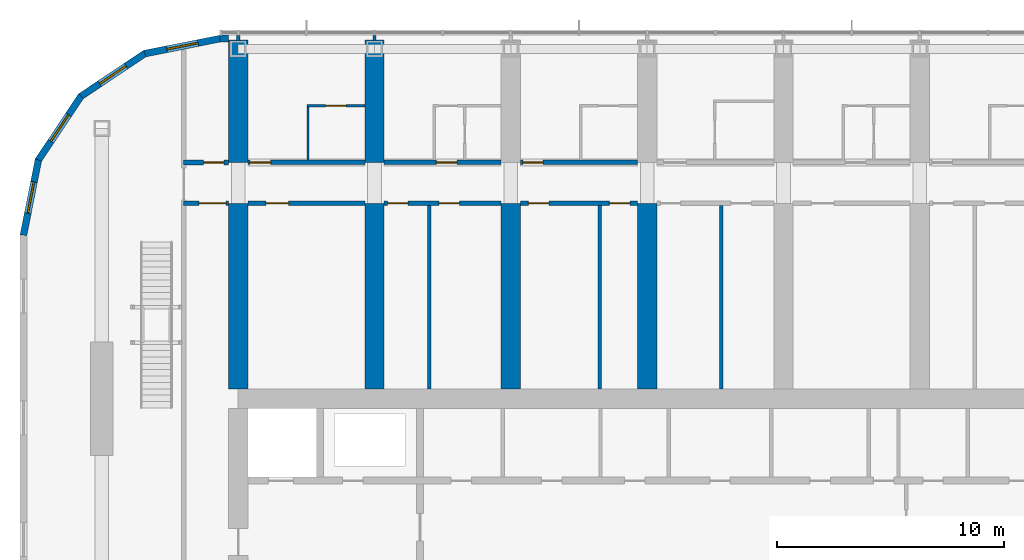
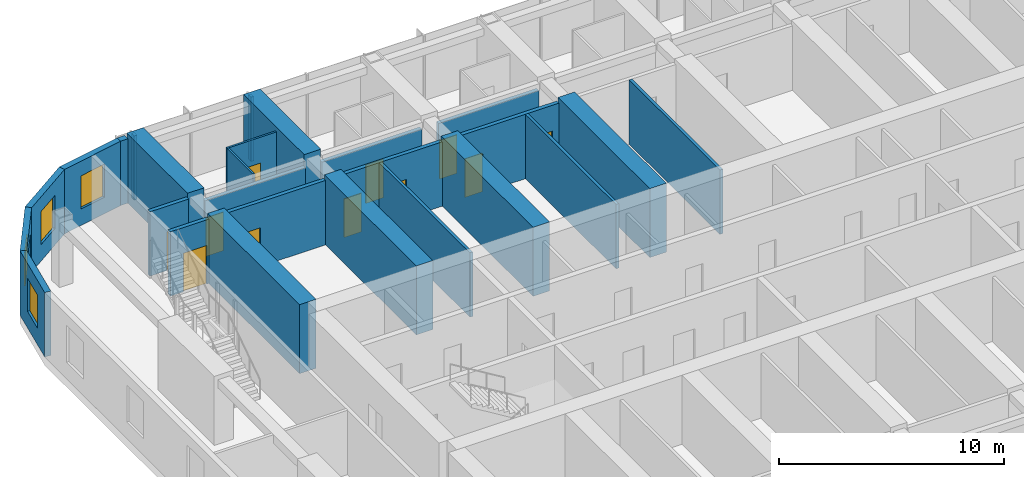
# One storey, part 19 of 29: 26 walls, 11 doors, 4 windows, 15 openings.
"""IFC4 building model written with IfcOpenShell, lengths in metres."""

from ifc_helpers import new_model, si_unit, direction, frame, frame_2d, origin, place, context, subcontext, project, spatial, polyline, rectangle, outline, extrude, material, layer, layer_set, type_object, element, fill, save


model = new_model("IFC4")

# Units and contexts
model_context = context("Model", 3, precision=1e-05, world=origin(), true_north=direction((0.0, 1.0)))
body_context = subcontext(model_context, "Body", "Model", "MODEL_VIEW")
ifc_project = project(units=[si_unit("LENGTHUNIT", "METRE"), si_unit("AREAUNIT", "SQUARE_METRE"), si_unit("VOLUMEUNIT", "CUBIC_METRE"), si_unit("PLANEANGLEUNIT", "RADIAN"), si_unit("MASSUNIT", "GRAM", prefix="KILO")], contexts=[model_context])

# Site, building, storey
site_placement = place(None, origin())
site = spatial("IfcSite", under=ifc_project, at=site_placement, CompositionType="ELEMENT")
building_placement = place(site_placement, origin())
building = spatial("IfcBuilding", under=site, at=building_placement, Name="Orbita Commons", CompositionType="ELEMENT")
storey_placement = place(building_placement, frame((0.0, 0.0, 148.60009765625)))
storey = spatial("IfcBuildingStorey", under=building, at=storey_placement, Name="L36", CompositionType="ELEMENT", Elevation=148.60009765625)

# Wall, opening, door
ifc_material_1 = material(Name="Concrete blockwork", Category="masonry")
ifc_layer_1 = layer(ifc_material_1, 0.199951171875)
ifc_layer_set_1 = layer_set([ifc_layer_1], Name="Concrete blockwork")
wall_type_1 = type_object("IfcWallType", Name="Corridor wall 200 blockwork", PredefinedType="SOLIDWALL", material=ifc_layer_set_1)
wall_1_placement = place(storey_placement, frame((15.60009765625, 48.60009765625, 0.0), z_axis=(0.0, 0.0, 1.0), x_axis=(1.0, 0.0, 0.0)))
wall_1 = element("IfcWall", 1, at=wall_1_placement, inside=storey, type_object=wall_type_1, Name="Corridor wall 200 blockwork L36", PredefinedType="SOLIDWALL", context=body_context, shape_type="SweptSolid", body=[
    extrude(rectangle(XDim=1.974853515625, YDim=0.199951171875, at=frame_2d((0.9873046875, 0.0))), origin(), (0.0, 0.0, 1.0), 3.5),
])
opening_1_placement = place(wall_1_placement, frame((0.875, 0.0, 0.0)))
opening_1 = element("IfcOpeningElement", 2, at=opening_1_placement, cuts=wall_1, Name="Opening D05", PredefinedType="OPENING", context=body_context, shape_type="SweptSolid", body=[
    extrude(rectangle(XDim=0.89990234375, YDim=2.10009765625, at=frame_2d((0.449951171875, 1.050048828125))), frame((0.0, 0.10986328125, 0.0), z_axis=(0.0, -1.0, 0.0), x_axis=(1.0, 0.0, 0.0)), (0.0, 0.0, 1.0), 0.219970703125),
])
ifc_material_2 = material(Name="Steel-faced fire door leaf", Category="steel")
door_type_1 = type_object("IfcDoorType", Name="Service door 20 min 900x2100", OperationType="SINGLE_SWING_LEFT", PredefinedType="DOOR", material=ifc_material_2)
door_1_placement = place(opening_1_placement, origin())
door_1 = element("IfcDoor", 3, at=door_1_placement, inside=storey, type_object=door_type_1, Name="Linen store L36-KWN door", OperationType="SINGLE_SWING_LEFT", OverallHeight=2.10009765625, OverallWidth=0.89990234375, PredefinedType="DOOR", context=body_context, shape_type="SweptSolid", body=[
    extrude(rectangle(XDim=0.89990234375, YDim=2.10009765625, at=frame_2d((0.449951171875, 1.050048828125))), frame((0.0, 0.02490234375, 0.0), z_axis=(0.0, -1.0, 0.0), x_axis=(1.0, 0.0, 0.0)), (0.0, 0.0, 1.0), 0.050048828125),
])
fill(opening_1, door_1)

wall_2_placement = place(storey_placement, frame((18.425048828125, 48.60009765625, 0.0), z_axis=(0.0, 0.0, 1.0), x_axis=(1.0, 0.0, 0.0)))
wall_2 = element("IfcWall", 4, at=wall_2_placement, inside=storey, type_object=wall_type_1, Name="Corridor wall 200 blockwork L36", PredefinedType="SOLIDWALL", context=body_context, shape_type="SweptSolid", body=[
    extrude(outline(polyline([(0.0, 0.0), (5.14990234375, 0.0), (5.14990234375, 3.099853515625), (0.0, 3.099853515625), (0.0, 0.0)])), frame((0.0, 0.10009765625, 0.0), z_axis=(0.0, -1.0, 0.0), x_axis=(1.0, 0.0, 0.0)), (0.0, 0.0, 1.0), 0.199951171875),
])
opening_2_placement = place(wall_2_placement, frame((0.10009765625, 0.0, 0.0)))
opening_2 = element("IfcOpeningElement", 5, at=opening_2_placement, cuts=wall_2, Name="Opening D11", PredefinedType="OPENING", context=body_context, shape_type="SweptSolid", body=[
    extrude(rectangle(XDim=0.89990234375, YDim=2.10009765625, at=frame_2d((0.449951171875, 1.050048828125))), frame((0.0, 0.10986328125, 0.0), z_axis=(0.0, -1.0, 0.0), x_axis=(1.0, 0.0, 0.0)), (0.0, 0.0, 1.0), 0.219970703125),
])
ifc_material_3 = material(Name="Steel-faced fire door leaf", Category="steel")
door_type_2 = type_object("IfcDoorType", Name="Corridor door 20 min 900x2100", OperationType="SINGLE_SWING_LEFT", PredefinedType="DOOR", material=ifc_material_3)
door_2_placement = place(opening_2_placement, origin())
door_2 = element("IfcDoor", 6, at=door_2_placement, inside=storey, type_object=door_type_2, Name="Twin room L36-N00 door", OperationType="SINGLE_SWING_LEFT", OverallHeight=2.10009765625, OverallWidth=0.89990234375, PredefinedType="DOOR", context=body_context, shape_type="SweptSolid", body=[
    extrude(rectangle(XDim=0.89990234375, YDim=2.10009765625, at=frame_2d((0.449951171875, 1.050048828125))), frame((0.0, 0.02490234375, 0.0), z_axis=(0.0, -1.0, 0.0), x_axis=(1.0, 0.0, 0.0)), (0.0, 0.0, 1.0), 0.050048828125),
])
fill(opening_2, door_2)

wall_3_placement = place(storey_placement, frame((24.425048828125, 48.60009765625, 0.0), z_axis=(0.0, 0.0, 1.0), x_axis=(1.0, 0.0, 0.0)))
wall_3 = element("IfcWall", 7, at=wall_3_placement, inside=storey, type_object=wall_type_1, Name="Corridor wall 200 blockwork L36", PredefinedType="SOLIDWALL", context=body_context, shape_type="SweptSolid", body=[
    extrude(outline(polyline([(0.0, 0.0), (5.14990234375, 0.0), (5.14990234375, 3.099853515625), (0.0, 3.099853515625), (0.0, 0.0)])), frame((0.0, 0.10009765625, 0.0), z_axis=(0.0, -1.0, 0.0), x_axis=(1.0, 0.0, 0.0)), (0.0, 0.0, 1.0), 0.199951171875),
])
opening_3_placement = place(wall_3_placement, frame((2.300048828125, 0.0, 0.0)))
opening_3 = element("IfcOpeningElement", 8, at=opening_3_placement, cuts=wall_3, Name="Opening D11", PredefinedType="OPENING", context=body_context, shape_type="SweptSolid", body=[
    extrude(rectangle(XDim=0.89990234375, YDim=2.10009765625, at=frame_2d((0.449951171875, 1.050048828125))), frame((0.0, 0.10986328125, 0.0), z_axis=(0.0, -1.0, 0.0), x_axis=(1.0, 0.0, 0.0)), (0.0, 0.0, 1.0), 0.219970703125),
])
door_3_placement = place(opening_3_placement, origin())
door_3 = element("IfcDoor", 9, at=door_3_placement, inside=storey, type_object=door_type_2, Name="Studio flat L36-N02 entrance door", OperationType="SINGLE_SWING_LEFT", OverallHeight=2.10009765625, OverallWidth=0.89990234375, PredefinedType="DOOR", context=body_context, shape_type="SweptSolid", body=[
    extrude(rectangle(XDim=0.89990234375, YDim=2.10009765625, at=frame_2d((0.449951171875, 1.050048828125))), frame((0.0, 0.02490234375, 0.0), z_axis=(0.0, -1.0, 0.0), x_axis=(1.0, 0.0, 0.0)), (0.0, 0.0, 1.0), 0.050048828125),
])
fill(opening_3, door_3)

wall_4_placement = place(storey_placement, frame((30.425048828125, 48.60009765625, 0.0), z_axis=(0.0, 0.0, 1.0), x_axis=(1.0, 0.0, 0.0)))
wall_4 = element("IfcWall", 10, at=wall_4_placement, inside=storey, type_object=wall_type_1, Name="Corridor wall 200 blockwork L36", PredefinedType="SOLIDWALL", context=body_context, shape_type="SweptSolid", body=[
    extrude(outline(polyline([(0.0, 0.0), (5.14990234375, 0.0), (5.14990234375, 3.099853515625), (0.0, 3.099853515625), (0.0, 0.0)])), frame((0.0, 0.10009765625, 0.0), z_axis=(0.0, -1.0, 0.0), x_axis=(1.0, 0.0, 0.0)), (0.0, 0.0, 1.0), 0.199951171875),
])
opening_4_placement = place(wall_4_placement, frame((0.10009765625, 0.0, 0.0)))
opening_4 = element("IfcOpeningElement", 11, at=opening_4_placement, cuts=wall_4, Name="Opening D11", PredefinedType="OPENING", context=body_context, shape_type="SweptSolid", body=[
    extrude(rectangle(XDim=0.89990234375, YDim=2.10009765625, at=frame_2d((0.449951171875, 1.050048828125))), frame((0.0, 0.10986328125, 0.0), z_axis=(0.0, -1.0, 0.0), x_axis=(1.0, 0.0, 0.0)), (0.0, 0.0, 1.0), 0.219970703125),
])
door_4_placement = place(opening_4_placement, origin())
door_4 = element("IfcDoor", 12, at=door_4_placement, inside=storey, type_object=door_type_2, Name="Twin room L36-N04 door", OperationType="SINGLE_SWING_LEFT", OverallHeight=2.10009765625, OverallWidth=0.89990234375, PredefinedType="DOOR", context=body_context, shape_type="SweptSolid", body=[
    extrude(rectangle(XDim=0.89990234375, YDim=2.10009765625, at=frame_2d((0.449951171875, 1.050048828125))), frame((0.0, 0.02490234375, 0.0), z_axis=(0.0, -1.0, 0.0), x_axis=(1.0, 0.0, 0.0)), (0.0, 0.0, 1.0), 0.050048828125),
])
fill(opening_4, door_4)

ifc_material_4 = material(Name="Hollow concrete block 200", Category="concrete")
ifc_layer_2 = layer(ifc_material_4, 0.199951171875)
ifc_layer_set_2 = layer_set([ifc_layer_2], Name="Hollow concrete block 200")
wall_type_2 = type_object("IfcWallType", Name="Corridor wall 200 hollow concrete block", PredefinedType="SOLIDWALL", material=ifc_layer_set_2)
wall_5_placement = place(storey_placement, frame((15.60009765625, 46.800048828125, 0.0), z_axis=(0.0, 0.0, 1.0), x_axis=(1.0, 0.0, 0.0)))
wall_5 = element("IfcWall", 13, at=wall_5_placement, inside=storey, type_object=wall_type_2, Name="Corridor wall 200 hollow concrete block L36", PredefinedType="SOLIDWALL", context=body_context, shape_type="SweptSolid", body=[
    extrude(rectangle(XDim=1.974853515625, YDim=0.199951171875, at=frame_2d((0.9873046875, 0.0))), origin(), (0.0, 0.0, 1.0), 3.5),
])
opening_5_placement = place(wall_5_placement, frame((0.675048828125, 0.0, 0.0)))
opening_5 = element("IfcOpeningElement", 14, at=opening_5_placement, cuts=wall_5, Name="Opening D12", PredefinedType="OPENING", context=body_context, shape_type="SweptSolid", body=[
    extrude(rectangle(XDim=1.199951171875, YDim=2.10009765625, at=frame_2d((0.60009765625, 1.050048828125))), frame((0.0, 0.10986328125, 0.0), z_axis=(0.0, -1.0, 0.0), x_axis=(1.0, 0.0, 0.0)), (0.0, 0.0, 1.0), 0.219970703125),
])
ifc_material_5 = material(Name="Steel-faced fire door leaf", Category="steel")
door_type_3 = type_object("IfcDoorType", Name="Double corridor door 20 min 1200x2100", OperationType="DOUBLE_DOOR_SINGLE_SWING", PredefinedType="DOOR", material=ifc_material_5)
door_5_placement = place(opening_5_placement, origin())
door_5 = element("IfcDoor", 15, at=door_5_placement, inside=storey, type_object=door_type_3, Name="Cross corridor doors", OperationType="DOUBLE_DOOR_SINGLE_SWING", OverallHeight=2.10009765625, OverallWidth=1.199951171875, PredefinedType="DOOR", context=body_context, shape_type="SweptSolid", body=[
    extrude(rectangle(XDim=1.199951171875, YDim=2.10009765625, at=frame_2d((0.60009765625, 1.050048828125))), frame((0.0, 0.02490234375, 0.0), z_axis=(0.0, -1.0, 0.0), x_axis=(1.0, 0.0, 0.0)), (0.0, 0.0, 1.0), 0.050048828125),
])
fill(opening_5, door_5)

wall_6_placement = place(storey_placement, frame((18.425048828125, 46.800048828125, 0.0), z_axis=(0.0, 0.0, 1.0), x_axis=(1.0, 0.0, 0.0)))
wall_6 = element("IfcWall", 16, at=wall_6_placement, inside=storey, type_object=wall_type_2, Name="Corridor wall 200 hollow concrete block L36", PredefinedType="SOLIDWALL", context=body_context, shape_type="SweptSolid", body=[
    extrude(rectangle(XDim=5.14990234375, YDim=0.199951171875, at=frame_2d((2.574951171875, 0.0))), origin(), (0.0, 0.0, 1.0), 3.5),
])
opening_6_placement = place(wall_6_placement, frame((0.800048828125, 0.0, 0.0)))
opening_6 = element("IfcOpeningElement", 17, at=opening_6_placement, cuts=wall_6, Name="Opening D06", PredefinedType="OPENING", context=body_context, shape_type="SweptSolid", body=[
    extrude(rectangle(XDim=1.0, YDim=2.10009765625, at=frame_2d((0.5, 1.050048828125))), frame((0.0, 0.10986328125, 0.0), z_axis=(0.0, -1.0, 0.0), x_axis=(1.0, 0.0, 0.0)), (0.0, 0.0, 1.0), 0.219970703125),
])
ifc_material_6 = material(Name="Steel-faced fire door leaf", Category="steel")
door_type_4 = type_object("IfcDoorType", Name="Corridor door 20 min 1000x2100", OperationType="SINGLE_SWING_LEFT", PredefinedType="DOOR", material=ifc_material_6)
door_6_placement = place(opening_6_placement, origin())
door_6 = element("IfcDoor", 18, at=door_6_placement, inside=storey, type_object=door_type_4, Name="IT and print room L36-BDN18 door", OperationType="SINGLE_SWING_LEFT", OverallHeight=2.10009765625, OverallWidth=1.0, PredefinedType="DOOR", context=body_context, shape_type="SweptSolid", body=[
    extrude(rectangle(XDim=1.0, YDim=2.10009765625, at=frame_2d((0.5, 1.050048828125))), frame((0.0, 0.02490234375, 0.0), z_axis=(0.0, -1.0, 0.0), x_axis=(1.0, 0.0, 0.0)), (0.0, 0.0, 1.0), 0.050048828125),
])
fill(opening_6, door_6)

# Wall, openings, doors
wall_7_placement = place(storey_placement, frame((24.425048828125, 46.800048828125, 0.0), z_axis=(0.0, 0.0, 1.0), x_axis=(1.0, 0.0, 0.0)))
wall_7 = element("IfcWall", 19, at=wall_7_placement, inside=storey, type_object=wall_type_2, Name="Corridor wall 200 hollow concrete block L36", PredefinedType="SOLIDWALL", context=body_context, shape_type="SweptSolid", body=[
    extrude(rectangle(XDim=5.14990234375, YDim=0.199951171875, at=frame_2d((2.574951171875, 0.0))), origin(), (0.0, 0.0, 1.0), 3.5),
])
opening_7_placement = place(wall_7_placement, frame((0.14990234375, 0.0, 0.0)))
opening_7 = element("IfcOpeningElement", 20, at=opening_7_placement, cuts=wall_7, Name="Opening D11", PredefinedType="OPENING", context=body_context, shape_type="SweptSolid", body=[
    extrude(rectangle(XDim=0.89990234375, YDim=2.10009765625, at=frame_2d((0.449951171875, 1.050048828125))), frame((0.0, 0.10986328125, 0.0), z_axis=(0.0, -1.0, 0.0), x_axis=(1.0, 0.0, 0.0)), (0.0, 0.0, 1.0), 0.219970703125),
])
opening_8_placement = place(wall_7_placement, frame((2.405029296875, 0.0, 0.0)))
opening_8 = element("IfcOpeningElement", 21, at=opening_8_placement, cuts=wall_7, Name="Opening D11", PredefinedType="OPENING", context=body_context, shape_type="SweptSolid", body=[
    extrude(rectangle(XDim=0.89990234375, YDim=2.10009765625, at=frame_2d((0.449951171875, 1.050048828125))), frame((0.0, 0.10986328125, 0.0), z_axis=(0.0, -1.0, 0.0), x_axis=(1.0, 0.0, 0.0)), (0.0, 0.0, 1.0), 0.219970703125),
])
door_7_placement = place(opening_7_placement, origin())
door_7 = element("IfcDoor", 22, at=door_7_placement, inside=storey, type_object=door_type_2, Name="Water heater cupboard L36-BDN24n door", OperationType="SINGLE_SWING_LEFT", OverallHeight=2.10009765625, OverallWidth=0.89990234375, PredefinedType="DOOR", context=body_context, shape_type="SweptSolid", body=[
    extrude(rectangle(XDim=0.89990234375, YDim=2.10009765625, at=frame_2d((0.449951171875, 1.050048828125))), frame((0.0, 0.02490234375, 0.0), z_axis=(0.0, -1.0, 0.0), x_axis=(1.0, 0.0, 0.0)), (0.0, 0.0, 1.0), 0.050048828125),
])
fill(opening_7, door_7)
door_8_placement = place(opening_8_placement, origin())
door_8 = element("IfcDoor", 23, at=door_8_placement, inside=storey, type_object=door_type_2, Name="Electrical and data room L36-BDN24 door", OperationType="SINGLE_SWING_LEFT", OverallHeight=2.10009765625, OverallWidth=0.89990234375, PredefinedType="DOOR", context=body_context, shape_type="SweptSolid", body=[
    extrude(rectangle(XDim=0.89990234375, YDim=2.10009765625, at=frame_2d((0.449951171875, 1.050048828125))), frame((0.0, 0.02490234375, 0.0), z_axis=(0.0, -1.0, 0.0), x_axis=(1.0, 0.0, 0.0)), (0.0, 0.0, 1.0), 0.050048828125),
])
fill(opening_8, door_8)

wall_8_placement = place(storey_placement, frame((30.425048828125, 46.800048828125, 0.0), z_axis=(0.0, 0.0, 1.0), x_axis=(1.0, 0.0, 0.0)))
wall_8 = element("IfcWall", 24, at=wall_8_placement, inside=storey, type_object=wall_type_2, Name="Corridor wall 200 hollow concrete block L36", PredefinedType="SOLIDWALL", context=body_context, shape_type="SweptSolid", body=[
    extrude(rectangle(XDim=5.14990234375, YDim=0.199951171875, at=frame_2d((2.574951171875, 0.0))), origin(), (0.0, 0.0, 1.0), 3.5),
])
opening_9_placement = place(wall_8_placement, frame((0.35009765625, 0.0, 0.0)))
opening_9 = element("IfcOpeningElement", 25, at=opening_9_placement, cuts=wall_8, Name="Opening D11", PredefinedType="OPENING", context=body_context, shape_type="SweptSolid", body=[
    extrude(rectangle(XDim=0.89990234375, YDim=2.10009765625, at=frame_2d((0.449951171875, 1.050048828125))), frame((0.0, 0.10986328125, 0.0), z_axis=(0.0, -1.0, 0.0), x_axis=(1.0, 0.0, 0.0)), (0.0, 0.0, 1.0), 0.219970703125),
])
opening_10_placement = place(wall_8_placement, frame((3.9150390625, 0.0, 0.0)))
opening_10 = element("IfcOpeningElement", 26, at=opening_10_placement, cuts=wall_8, Name="Opening D11", PredefinedType="OPENING", context=body_context, shape_type="SweptSolid", body=[
    extrude(rectangle(XDim=0.89990234375, YDim=2.10009765625, at=frame_2d((0.449951171875, 1.050048828125))), frame((0.0, 0.10986328125, 0.0), z_axis=(0.0, -1.0, 0.0), x_axis=(1.0, 0.0, 0.0)), (0.0, 0.0, 1.0), 0.219970703125),
])
door_9_placement = place(opening_9_placement, origin())
door_9 = element("IfcDoor", 27, at=door_9_placement, inside=storey, type_object=door_type_2, Name="Ventilation plant room north L36-BDN30 door", OperationType="SINGLE_SWING_LEFT", OverallHeight=2.10009765625, OverallWidth=0.89990234375, PredefinedType="DOOR", context=body_context, shape_type="SweptSolid", body=[
    extrude(rectangle(XDim=0.89990234375, YDim=2.10009765625, at=frame_2d((0.449951171875, 1.050048828125))), frame((0.0, 0.02490234375, 0.0), z_axis=(0.0, -1.0, 0.0), x_axis=(1.0, 0.0, 0.0)), (0.0, 0.0, 1.0), 0.050048828125),
])
fill(opening_9, door_9)
door_10_placement = place(opening_10_placement, origin())
door_10 = element("IfcDoor", 28, at=door_10_placement, inside=storey, type_object=door_type_2, Name="Equipment store L36-BDN30n door", OperationType="SINGLE_SWING_LEFT", OverallHeight=2.10009765625, OverallWidth=0.89990234375, PredefinedType="DOOR", context=body_context, shape_type="SweptSolid", body=[
    extrude(rectangle(XDim=0.89990234375, YDim=2.10009765625, at=frame_2d((0.449951171875, 1.050048828125))), frame((0.0, 0.02490234375, 0.0), z_axis=(0.0, -1.0, 0.0), x_axis=(1.0, 0.0, 0.0)), (0.0, 0.0, 1.0), 0.050048828125),
])
fill(opening_10, door_10)

# Walls
ifc_material_7 = material(Name="Concrete C50/60", Category="concrete")
ifc_layer_3 = layer(ifc_material_7, 0.85009765625)
ifc_layer_set_3 = layer_set([ifc_layer_3], Name="Concrete C50/60")
wall_type_3 = type_object("IfcWallType", Name="Cross wall 850 C50/60", PredefinedType="SHEAR", material=ifc_layer_set_3)
wall_9_placement = place(storey_placement, frame((18.0, 48.60009765625, 0.0), z_axis=(0.0, 0.0, 1.0), x_axis=(0.0, 1.0, 0.0)))
element("IfcWall", 29, at=wall_9_placement, inside=storey, type_object=wall_type_3, Name="Cross wall 4 north outer L36", PredefinedType="SHEAR", context=body_context, shape_type="SweptSolid", body=[
    extrude(rectangle(XDim=5.39990234375, YDim=0.85009765625, at=frame_2d((2.699951171875, 0.0))), origin(), (0.0, 0.0, 1.0), 3.75),
])
wall_10_placement = place(storey_placement, frame((18.0, 38.625, 0.0), z_axis=(0.0, 0.0, 1.0), x_axis=(0.0, 1.0, 0.0)))
element("IfcWall", 30, at=wall_10_placement, inside=storey, type_object=wall_type_3, Name="Cross wall 4 north inner L36", PredefinedType="SHEAR", context=body_context, shape_type="SweptSolid", body=[
    extrude(rectangle(XDim=8.175048828125, YDim=0.85009765625, at=frame_2d((4.08740234375, 0.0))), origin(), (0.0, 0.0, 1.0), 3.75),
])
wall_11_placement = place(storey_placement, frame((24.0, 48.60009765625, 0.0), z_axis=(0.0, 0.0, 1.0), x_axis=(0.0, 1.0, 0.0)))
element("IfcWall", 31, at=wall_11_placement, inside=storey, type_object=wall_type_3, Name="Cross wall 5 north outer L36", PredefinedType="SHEAR", context=body_context, shape_type="SweptSolid", body=[
    extrude(rectangle(XDim=5.39990234375, YDim=0.85009765625, at=frame_2d((2.699951171875, 0.0))), origin(), (0.0, 0.0, 1.0), 3.75),
])
for number, where, z_axis, x_axis, name in (
    (32, (24.0, 38.625, 0.0), (0.0, 0.0, 1.0), (0.0, 1.0, 0.0), "Cross wall 5 north inner L36"),
    (33, (30.0, 38.625, 0.0), (0.0, 0.0, 1.0), (0.0, 1.0, 0.0), "Cross wall 6 north inner L36"),
    (34, (36.0, 38.625, 0.0), (0.0, 0.0, 1.0), (0.0, 1.0, 0.0), "Cross wall 7 north inner L36"),
):
    element("IfcWall", number, at=place(storey_placement, frame(where, z_axis=z_axis, x_axis=x_axis)), inside=storey, type_object=wall_type_3, Name=name, PredefinedType="SHEAR", context=body_context, shape_type="SweptSolid", body=[
        extrude(rectangle(XDim=8.175048828125, YDim=0.85009765625, at=frame_2d((4.08740234375, 0.0))), origin(), (0.0, 0.0, 1.0), 3.75),
    ])

# Wall, opening, door
ifc_material_8 = material(Name="Moisture-resistant plasterboard on steel studs", Category="steel")
ifc_layer_4 = layer(ifc_material_8, 0.10009765625)
ifc_layer_set_4 = layer_set([ifc_layer_4], Name="Moisture-resistant plasterboard on steel studs")
wall_type_4 = type_object("IfcWallType", Name="En-suite partition 100", PredefinedType="PARTITIONING", material=ifc_layer_set_4)
wall_12_placement = place(storey_placement, frame((21.02490234375, 51.10009765625, 0.0), z_axis=(0.0, 0.0, 1.0), x_axis=(1.0, 0.0, 0.0)))
wall_12 = element("IfcWall", 35, at=wall_12_placement, inside=storey, type_object=wall_type_4, Name="En-suite partition 100 L36", PredefinedType="PARTITIONING", context=body_context, shape_type="SweptSolid", body=[
    extrude(rectangle(XDim=2.550048828125, YDim=0.10009765625, at=frame_2d((1.27490234375, 0.0))), origin(), (0.0, 0.0, 1.0), 3.5),
])
opening_11_placement = place(wall_12_placement, frame((0.824951171875, 0.0, 0.0)))
opening_11 = element("IfcOpeningElement", 36, at=opening_11_placement, cuts=wall_12, Name="Opening D09", PredefinedType="OPENING", context=body_context, shape_type="SweptSolid", body=[
    extrude(rectangle(XDim=0.89990234375, YDim=2.10009765625, at=frame_2d((0.449951171875, 1.050048828125))), frame((0.0, 0.06005859375, 0.0), z_axis=(0.0, -1.0, 0.0), x_axis=(1.0, 0.0, 0.0)), (0.0, 0.0, 1.0), 0.1201171875),
])
ifc_material_9 = material(Name="Laminated timber door leaf", Category="wood")
door_type_5 = type_object("IfcDoorType", Name="En-suite door 900x2100", OperationType="SINGLE_SWING_RIGHT", PredefinedType="DOOR", material=ifc_material_9)
door_11_placement = place(opening_11_placement, origin())
door_11 = element("IfcDoor", 37, at=door_11_placement, inside=storey, type_object=door_type_5, Name="En-suite L36-N00 door", OperationType="SINGLE_SWING_RIGHT", OverallHeight=2.10009765625, OverallWidth=0.89990234375, PredefinedType="DOOR", context=body_context, shape_type="SweptSolid", body=[
    extrude(rectangle(XDim=0.89990234375, YDim=2.10009765625, at=frame_2d((0.449951171875, 1.050048828125))), frame((0.0, 0.02490234375, 0.0), z_axis=(0.0, -1.0, 0.0), x_axis=(1.0, 0.0, 0.0)), (0.0, 0.0, 1.0), 0.050048828125),
])
fill(opening_11, door_11)

# Walls
wall_13_placement = place(storey_placement, frame((21.074951171875, 51.050048828125, 0.0), z_axis=(0.0, 0.0, 1.0), x_axis=(0.0, -1.0, 0.0)))
element("IfcWall", 38, at=wall_13_placement, inside=storey, type_object=wall_type_4, Name="En-suite partition 100 L36", PredefinedType="PARTITIONING", context=body_context, shape_type="SweptSolid", body=[
    extrude(outline(polyline([(0.0, 0.0), (2.35009765625, 0.0), (2.35009765625, 3.099853515625), (2.302001953125, 3.099853515625), (2.300048828125, 3.5), (0.0, 3.5), (0.0, 0.0)])), frame((0.0, 0.050048828125, 0.0), z_axis=(0.0, -1.0, 0.0), x_axis=(1.0, 0.0, 0.0)), (0.0, 0.0, 1.0), 0.10009765625),
])
ifc_material_10 = material(Name="Gypsum plasterboard on steel studs", Category="steel")
ifc_layer_5 = layer(ifc_material_10, 0.14990234375)
ifc_layer_set_5 = layer_set([ifc_layer_5], Name="Gypsum plasterboard on steel studs")
wall_type_5 = type_object("IfcWallType", Name="Partition 150 plasterboard", PredefinedType="PARTITIONING", material=ifc_layer_set_5)
for number, where, z_axis, x_axis, name in (
    (39, (26.405029296875, 38.625, 0.0), (0.0, 0.0, 1.0), (0.0, 1.0, 0.0), "Partition 150 plasterboard L36"),
    (40, (33.9150390625, 38.625, 0.0), (0.0, 0.0, 1.0), (0.0, 1.0, 0.0), "Partition 150 plasterboard L36"),
    (41, (39.2548828125, 38.625, 0.0), (0.0, 0.0, 1.0), (0.0, 1.0, 0.0), "Partition 150 plasterboard L36"),
):
    element("IfcWall", number, at=place(storey_placement, frame(where, z_axis=z_axis, x_axis=x_axis)), inside=storey, type_object=wall_type_5, Name=name, PredefinedType="PARTITIONING", context=body_context, shape_type="SweptSolid", body=[
        extrude(rectangle(XDim=8.074951171875, YDim=0.14990234375, at=frame_2d((4.03759765625, 0.0))), origin(), (0.0, 0.0, 1.0), 3.5),
    ])
for number, where, z_axis, x_axis, name in (
    (42, (18.0, 53.949951171875, 0.0), (0.0, 0.0, 1.0), (0.0, 1.0, 0.0), "Partition 150 plasterboard L36"),
    (43, (24.0, 53.949951171875, 0.0), (0.0, 0.0, 1.0), (0.0, 1.0, 0.0), "Partition 150 plasterboard L36"),
):
    element("IfcWall", number, at=place(storey_placement, frame(where, z_axis=z_axis, x_axis=x_axis)), inside=storey, type_object=wall_type_5, Name=name, PredefinedType="PARTITIONING", context=body_context, shape_type="SweptSolid", body=[
        extrude(rectangle(XDim=0.239990234375, YDim=0.14990234375, at=frame_2d((0.1201171875, 0.0))), origin(), (0.0, 0.0, 1.0), 3.5),
    ])

# Wall, opening, window
ifc_material_11 = material(Name="Precast concrete C40/50, white board-marked finish", Category="concrete")
ifc_layer_6 = layer(ifc_material_11, 0.300048828125)
ifc_layer_set_6 = layer_set([ifc_layer_6], Name="Precast concrete C40/50, white board-marked finish")
wall_type_6 = type_object("IfcWallType", Name="Precast concrete end shield 300", PredefinedType="SOLIDWALL", material=ifc_layer_set_6)
wall_14_placement = place(storey_placement, frame((17.199951171875, 54.050048828125, 0.0), z_axis=(0.0, 0.0, 1.0), x_axis=(-0.98078325777, -0.195100490205, 0.0)))
wall_14 = element("IfcWall", 44, at=wall_14_placement, inside=storey, type_object=wall_type_6, Name="End shield NW chord 1 L36", PredefinedType="SOLIDWALL", context=body_context, shape_type="SweptSolid", body=[
    extrude(outline(polyline([(-0.02978515625, -0.14990234375), (3.40478515625, -0.14990234375), (3.34521484375, 0.14990234375), (0.02978515625, 0.14990234375), (-0.02978515625, -0.14990234375)])), origin(), (0.0, 0.0, 1.0), 3.5),
])
opening_12_placement = place(wall_14_placement, frame((0.987548828125, 0.0, 0.89990234375)))
opening_12 = element("IfcOpeningElement", 45, at=opening_12_placement, cuts=wall_14, Name="Opening W02", PredefinedType="OPENING", context=body_context, shape_type="SweptSolid", body=[
    extrude(rectangle(XDim=1.39990234375, YDim=1.800048828125, at=frame_2d((0.699951171875, 0.89990234375))), frame((0.0, 0.159912109375, 0.0), z_axis=(0.0, -1.0, 0.0), x_axis=(1.0, 0.0, 0.0)), (0.0, 0.0, 1.0), 0.320068359375),
])
ifc_material_12 = material(Name="Aluminium frame, clear double glazing", Category="aluminium")
window_type = type_object("IfcWindowType", Name="Deep-set window 1400x1800", PartitioningType="SINGLE_PANEL", PredefinedType="WINDOW", material=ifc_material_12)
window_1_placement = place(opening_12_placement, origin())
window_1 = element("IfcWindow", 46, at=window_1_placement, inside=storey, type_object=window_type, Name="Window L36-NW0", OverallHeight=1.800048828125, OverallWidth=1.39990234375, PartitioningType="SINGLE_PANEL", PredefinedType="WINDOW", context=body_context, shape_type="SweptSolid", body=[
    extrude(rectangle(XDim=1.39990234375, YDim=1.800048828125, at=frame_2d((0.699951171875, 0.89990234375))), frame((0.0, 0.030029296875, 0.0), z_axis=(0.0, -1.0, 0.0), x_axis=(1.0, 0.0, 0.0)), (0.0, 0.0, 1.0), 0.06005859375),
])
fill(opening_12, window_1)

wall_15_placement = place(storey_placement, frame((13.889892578125, 53.3916015625, 0.0), z_axis=(0.0, 0.0, 1.0), x_axis=(-0.831493450887, -0.555534554399, 0.0)))
wall_15 = element("IfcWall", 47, at=wall_15_placement, inside=storey, type_object=wall_type_6, Name="End shield NW chord 2 L36", PredefinedType="SOLIDWALL", context=body_context, shape_type="SweptSolid", body=[
    extrude(outline(polyline([(-0.02978515625, -0.14990234375), (3.405029296875, -0.14990234375), (3.345458984375, 0.14990234375), (0.02978515625, 0.14990234375), (-0.02978515625, -0.14990234375)])), origin(), (0.0, 0.0, 1.0), 3.5),
])
opening_13_placement = place(wall_15_placement, frame((0.987548828125, 0.0, 0.89990234375)))
opening_13 = element("IfcOpeningElement", 48, at=opening_13_placement, cuts=wall_15, Name="Opening W02", PredefinedType="OPENING", context=body_context, shape_type="SweptSolid", body=[
    extrude(rectangle(XDim=1.39990234375, YDim=1.800048828125, at=frame_2d((0.699951171875, 0.89990234375))), frame((0.0, 0.159912109375, 0.0), z_axis=(0.0, -1.0, 0.0), x_axis=(1.0, 0.0, 0.0)), (0.0, 0.0, 1.0), 0.320068359375),
])
window_2_placement = place(opening_13_placement, origin())
window_2 = element("IfcWindow", 49, at=window_2_placement, inside=storey, type_object=window_type, Name="Window L36-NW1", OverallHeight=1.800048828125, OverallWidth=1.39990234375, PartitioningType="SINGLE_PANEL", PredefinedType="WINDOW", context=body_context, shape_type="SweptSolid", body=[
    extrude(rectangle(XDim=1.39990234375, YDim=1.800048828125, at=frame_2d((0.699951171875, 0.89990234375))), frame((0.0, 0.030029296875, 0.0), z_axis=(0.0, -1.0, 0.0), x_axis=(1.0, 0.0, 0.0)), (0.0, 0.0, 1.0), 0.06005859375),
])
fill(opening_13, window_2)

wall_16_placement = place(storey_placement, frame((11.08349609375, 51.5166015625, 0.0), z_axis=(0.0, 0.0, 1.0), x_axis=(-0.555534554399, -0.831493450887, 0.0)))
wall_16 = element("IfcWall", 50, at=wall_16_placement, inside=storey, type_object=wall_type_6, Name="End shield NW chord 3 L36", PredefinedType="SOLIDWALL", context=body_context, shape_type="SweptSolid", body=[
    extrude(outline(polyline([(-0.02978515625, -0.14990234375), (3.405029296875, -0.14990234375), (3.345458984375, 0.14990234375), (0.02978515625, 0.14990234375), (-0.02978515625, -0.14990234375)])), origin(), (0.0, 0.0, 1.0), 3.5),
])
opening_14_placement = place(wall_16_placement, frame((0.987548828125, 0.0, 0.89990234375)))
opening_14 = element("IfcOpeningElement", 51, at=opening_14_placement, cuts=wall_16, Name="Opening W02", PredefinedType="OPENING", context=body_context, shape_type="SweptSolid", body=[
    extrude(rectangle(XDim=1.39990234375, YDim=1.800048828125, at=frame_2d((0.699951171875, 0.89990234375))), frame((0.0, 0.159912109375, 0.0), z_axis=(0.0, -1.0, 0.0), x_axis=(1.0, 0.0, 0.0)), (0.0, 0.0, 1.0), 0.320068359375),
])
window_3_placement = place(opening_14_placement, origin())
window_3 = element("IfcWindow", 52, at=window_3_placement, inside=storey, type_object=window_type, Name="Window L36-NW2", OverallHeight=1.800048828125, OverallWidth=1.39990234375, PartitioningType="SINGLE_PANEL", PredefinedType="WINDOW", context=body_context, shape_type="SweptSolid", body=[
    extrude(rectangle(XDim=1.39990234375, YDim=1.800048828125, at=frame_2d((0.699951171875, 0.89990234375))), frame((0.0, 0.030029296875, 0.0), z_axis=(0.0, -1.0, 0.0), x_axis=(1.0, 0.0, 0.0)), (0.0, 0.0, 1.0), 0.06005859375),
])
fill(opening_14, window_3)

wall_17_placement = place(storey_placement, frame((9.20849609375, 48.710205078125, 0.0), z_axis=(0.0, 0.0, 1.0), x_axis=(-0.19508664885, -0.980786011034, 0.0)))
wall_17 = element("IfcWall", 53, at=wall_17_placement, inside=storey, type_object=wall_type_6, Name="End shield NW chord 4 L36", PredefinedType="SOLIDWALL", context=body_context, shape_type="SweptSolid", body=[
    extrude(outline(polyline([(-0.02978515625, -0.14990234375), (3.39013671875, -0.14990234375), (3.3603515625, 0.14990234375), (0.02978515625, 0.14990234375), (-0.02978515625, -0.14990234375)])), origin(), (0.0, 0.0, 1.0), 3.5),
])
opening_15_placement = place(wall_17_placement, frame((0.987548828125, 0.0, 0.89990234375)))
opening_15 = element("IfcOpeningElement", 54, at=opening_15_placement, cuts=wall_17, Name="Opening W02", PredefinedType="OPENING", context=body_context, shape_type="SweptSolid", body=[
    extrude(rectangle(XDim=1.39990234375, YDim=1.800048828125, at=frame_2d((0.699951171875, 0.89990234375))), frame((0.0, 0.159912109375, 0.0), z_axis=(0.0, -1.0, 0.0), x_axis=(1.0, 0.0, 0.0)), (0.0, 0.0, 1.0), 0.320068359375),
])
window_4_placement = place(opening_15_placement, origin())
window_4 = element("IfcWindow", 55, at=window_4_placement, inside=storey, type_object=window_type, Name="Window L36-NW3", OverallHeight=1.800048828125, OverallWidth=1.39990234375, PartitioningType="SINGLE_PANEL", PredefinedType="WINDOW", context=body_context, shape_type="SweptSolid", body=[
    extrude(rectangle(XDim=1.39990234375, YDim=1.800048828125, at=frame_2d((0.699951171875, 0.89990234375))), frame((0.0, 0.030029296875, 0.0), z_axis=(0.0, -1.0, 0.0), x_axis=(1.0, 0.0, 0.0)), (0.0, 0.0, 1.0), 0.06005859375),
])
fill(opening_15, window_4)

# Wall
wall_18_placement = place(storey_placement, frame((17.199951171875, 54.050048828125, 0.0), z_axis=(0.0, 0.0, 1.0), x_axis=(1.0, 0.0, 0.0)))
element("IfcWall", 56, at=wall_18_placement, inside=storey, type_object=wall_type_6, Name="End shield NW closer L36", PredefinedType="SOLIDWALL", context=body_context, shape_type="SweptSolid", body=[
    extrude(rectangle(XDim=0.375, YDim=0.300048828125, at=frame_2d((0.1875, 0.0))), origin(), (0.0, 0.0, 1.0), 3.5),
])

save(model, "model.ifc")
